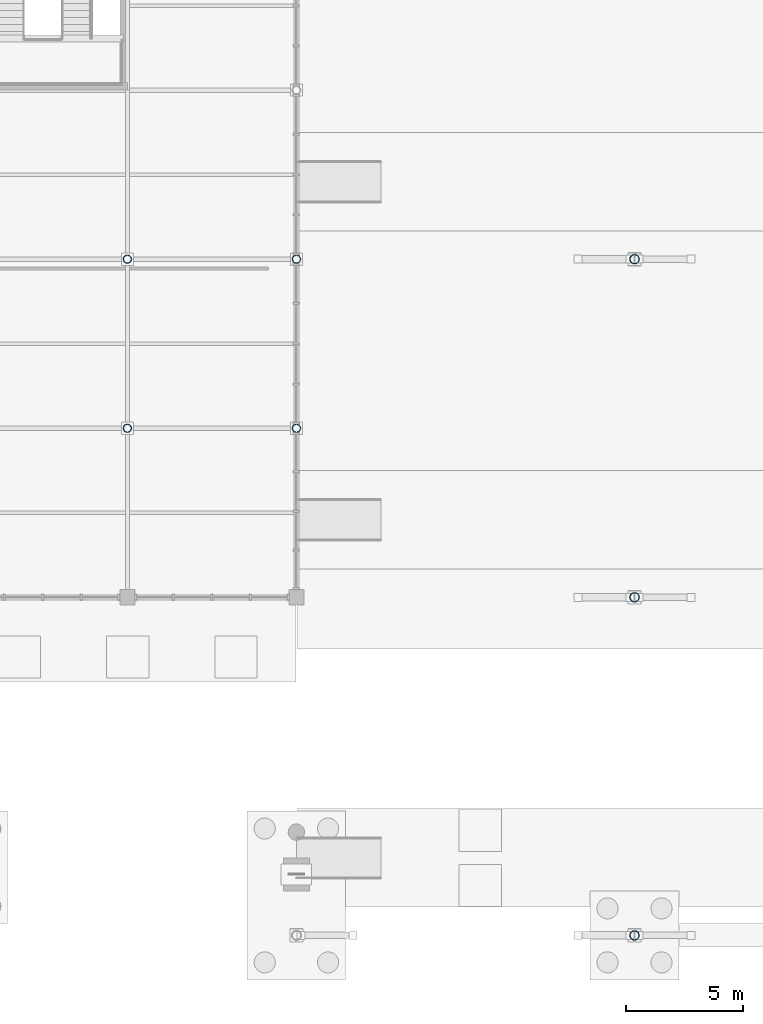
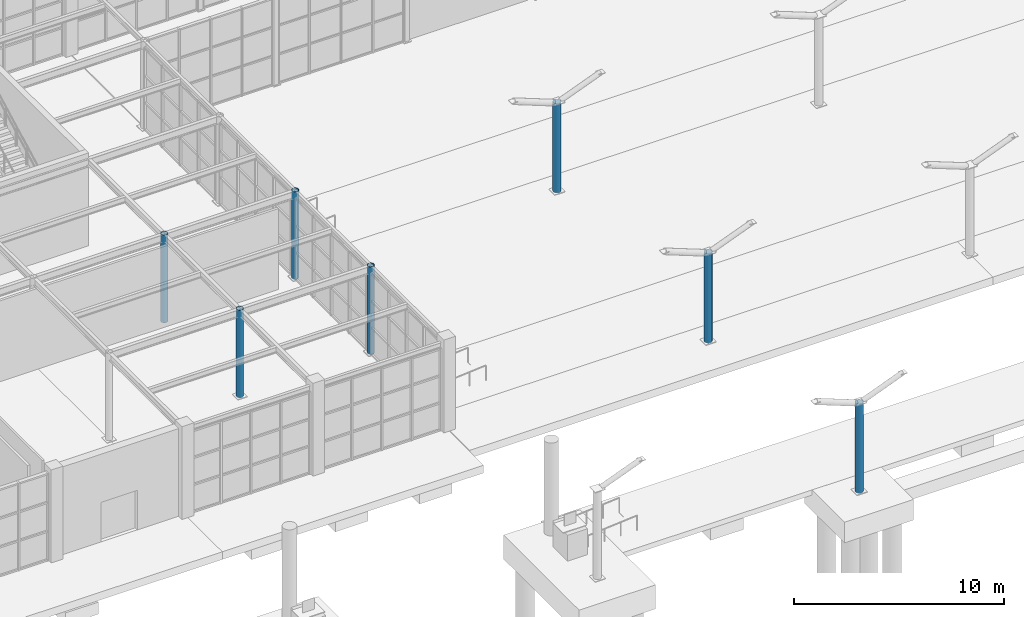
# One storey, part 11 of 75: 7 columns.
"""IFC4 building model written with IfcOpenShell, lengths in metres."""

from ifc_helpers import new_model, si_unit, direction, frame, origin, origin_2d, place, context, subcontext, project, spatial, hollow_circle, extrude, material, material_profile, profile_set, type_object, element, save


model = new_model("IFC4")

# Units and contexts
model_context = context("Model", 3, precision=1e-05, world=origin(), true_north=direction((0.0, 1.0)))
body_context = subcontext(model_context, "Body", "Model", "MODEL_VIEW")
ifc_project = project(units=[si_unit("LENGTHUNIT", "METRE"), si_unit("AREAUNIT", "SQUARE_METRE"), si_unit("VOLUMEUNIT", "CUBIC_METRE"), si_unit("PLANEANGLEUNIT", "RADIAN"), si_unit("MASSUNIT", "GRAM", prefix="KILO")], contexts=[model_context])

# Site, building, storey
site_placement = place(None, origin())
site = spatial("IfcSite", under=ifc_project, at=site_placement, CompositionType="ELEMENT")
building_placement = place(site_placement, origin())
building = spatial("IfcBuilding", under=site, at=building_placement, Name="Leyfeld Transit Interchange", CompositionType="ELEMENT")
storey_placement = place(building_placement, origin())
storey = spatial("IfcBuildingStorey", under=building, at=storey_placement, Name="L00", CompositionType="ELEMENT", Elevation=0.0)

# Columns
ifc_material = material(Name="Steel S355J2", Category="steel")
ifc_material_profile_1 = material_profile(ifc_material, hollow_circle(Radius=0.177734375, WallThickness=0.01611328125, at=origin_2d()), Name="CHS 355.6x16")
ifc_profile_set_1 = profile_set([ifc_material_profile_1], Name="Steel S355J2")
column_type_1 = type_object("IfcColumnType", Name="COL-STL-CHS355", PredefinedType="COLUMN", material=ifc_profile_set_1)
for number, where, z_axis, x_axis, name in (
    (1, (93.60009765625, 21.60009765625, 0.0), (0.0, 0.0, 1.0), (1.0, 0.0, 0.0), "Column COL-L00-0936_0216"),
    (2, (93.60009765625, 28.800048828125, 0.0), (0.0, 0.0, 1.0), (1.0, 0.0, 0.0), "Column COL-L00-0936_0288"),
    (3, (100.800048828125, 21.60009765625, 0.0), (0.0, 0.0, 1.0), (1.0, 0.0, 0.0), "Column COL-L00-1008_0216"),
    (4, (100.800048828125, 28.800048828125, 0.0), (0.0, 0.0, 1.0), (1.0, 0.0, 0.0), "Column COL-L00-1008_0288"),
):
    element("IfcColumn", number, at=place(storey_placement, frame(where, z_axis=z_axis, x_axis=x_axis)), inside=storey, type_object=column_type_1, Name=name, PredefinedType="COLUMN", context=body_context, shape_type="SweptSolid", body=[
        extrude(hollow_circle(Radius=0.177734375, WallThickness=0.01611328125, at=origin_2d()), origin(), (0.0, 0.0, 1.0), 5.10009765625),
    ])
ifc_material_profile_2 = material_profile(ifc_material, hollow_circle(Radius=0.203125, WallThickness=0.02001953125, at=origin_2d()), Name="CHS 406.4x20")
ifc_profile_set_2 = profile_set([ifc_material_profile_2], Name="Steel S355J2")
column_type_2 = type_object("IfcColumnType", Name="COL-STL-CHS406", PredefinedType="COLUMN", material=ifc_profile_set_2)
for number, where, z_axis, x_axis, name in (
    (5, (115.199951171875, 0.0, 0.0), (0.0, 0.0, 1.0), (1.0, 0.0, 0.0), "Column COL-L00-1152_0000"),
    (6, (115.199951171875, 14.39990234375, 0.0), (0.0, 0.0, 1.0), (1.0, 0.0, 0.0), "Column COL-L00-1152_0144"),
    (7, (115.199951171875, 28.800048828125, 0.0), (0.0, 0.0, 1.0), (1.0, 0.0, 0.0), "Column COL-L00-1152_0288"),
):
    element("IfcColumn", number, at=place(storey_placement, frame(where, z_axis=z_axis, x_axis=x_axis)), inside=storey, type_object=column_type_2, Name=name, PredefinedType="COLUMN", context=body_context, shape_type="SweptSolid", body=[
        extrude(hollow_circle(Radius=0.203125, WallThickness=0.02001953125, at=origin_2d()), origin(), (0.0, 0.0, 1.0), 5.199951171875),
    ])

save(model, "model.ifc")
